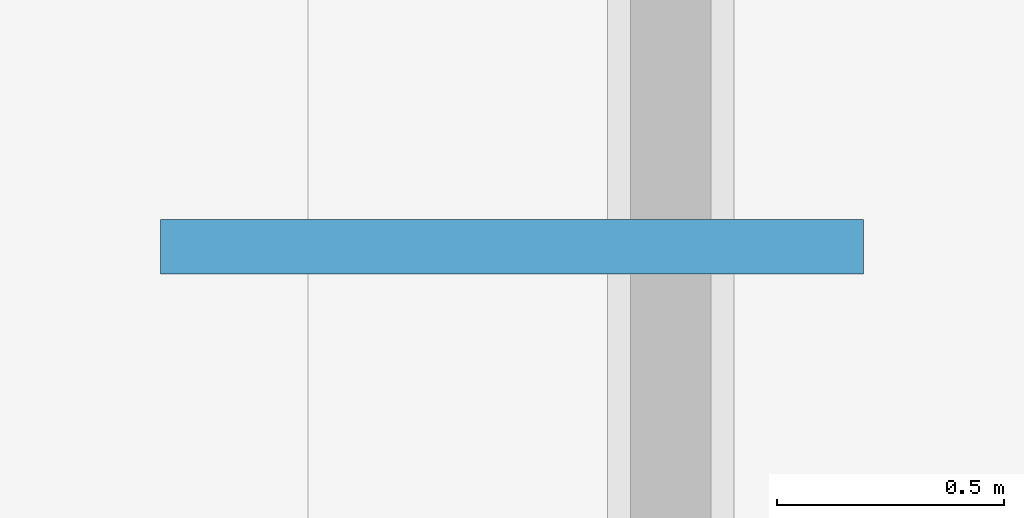
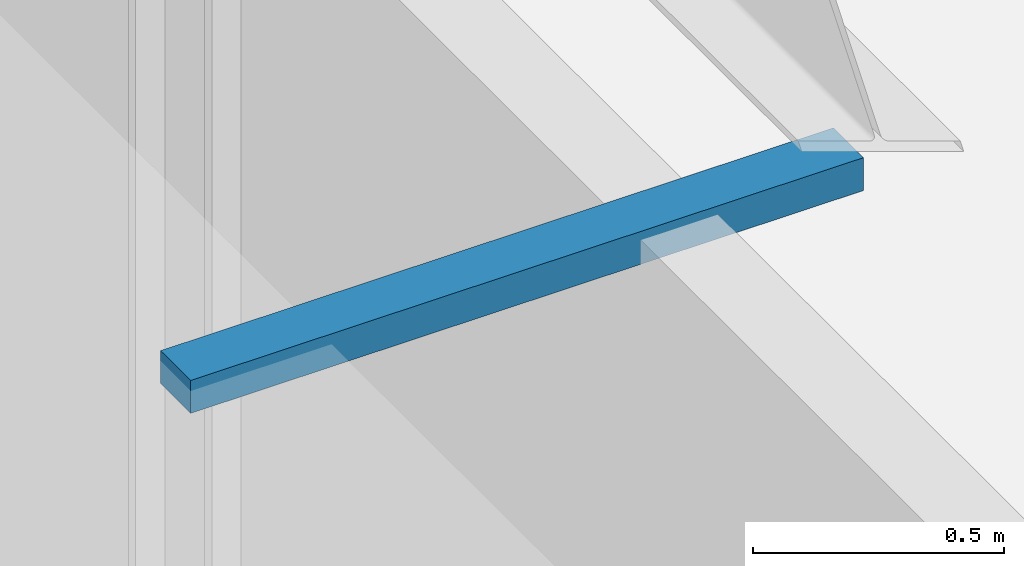
# One storey, part 76 of 85: 1 discrete accessory.
"""IFC4 building model written with IfcOpenShell, lengths in metres."""

from ifc_helpers import new_model, si_unit, direction, frame, origin, origin_2d, place, context, subcontext, project, spatial, rectangle, extrude, material, layer, layer_set, type_object, element, save


model = new_model("IFC4")

# Units and contexts
model_context = context("Model", 3, precision=1e-05, world=origin(), true_north=direction((0.0, 1.0)))
body_context = subcontext(model_context, "Body", "Model", "MODEL_VIEW")
ifc_project = project(units=[si_unit("LENGTHUNIT", "METRE"), si_unit("AREAUNIT", "SQUARE_METRE"), si_unit("VOLUMEUNIT", "CUBIC_METRE"), si_unit("PLANEANGLEUNIT", "RADIAN"), si_unit("MASSUNIT", "GRAM", prefix="KILO")], contexts=[model_context])

# Site, building, storey
site_placement = place(None, origin())
site = spatial("IfcSite", under=ifc_project, at=site_placement, CompositionType="ELEMENT")
building_placement = place(site_placement, origin())
building = spatial("IfcBuilding", under=site, at=building_placement, Name="Zulena Civic Courthouse", CompositionType="ELEMENT")
storey_placement = place(building_placement, frame((0.0, 0.0, 25.199951171875)))
storey = spatial("IfcBuildingStorey", under=building, at=storey_placement, Name="L05", CompositionType="ELEMENT", Elevation=25.199951171875)

# Discrete accessory
ifc_material = material(Name="Gold anodised architectural aluminium AA6063-T6", Category="aluminium")
ifc_layer = layer(ifc_material, 0.1201171875)
ifc_layer_set = layer_set([ifc_layer], Name="Gold anodised architectural aluminium AA6063-T6")
discrete_accessory_type = type_object("IfcDiscreteAccessoryType", Name="FinOutriggerBracket", PredefinedType="BRACKET", material=ifc_layer_set)
discrete_accessory_placement = place(storey_placement, frame((147.64990234375, 36.300048828125, 2.7900390625), z_axis=(0.0, 0.0, 1.0), x_axis=(1.0, 0.0, 0.0)))
element("IfcDiscreteAccessory", 1, at=discrete_accessory_placement, inside=storey, type_object=discrete_accessory_type, Name="hng:ceil:L05:284:1", PredefinedType="BRACKET", context=body_context, shape_type="SweptSolid", body=[
    extrude(rectangle(XDim=1.550048828125, YDim=0.1201171875, at=origin_2d()), origin(), (0.0, 0.0, 1.0), 0.080078125),
])

save(model, "model.ifc")
